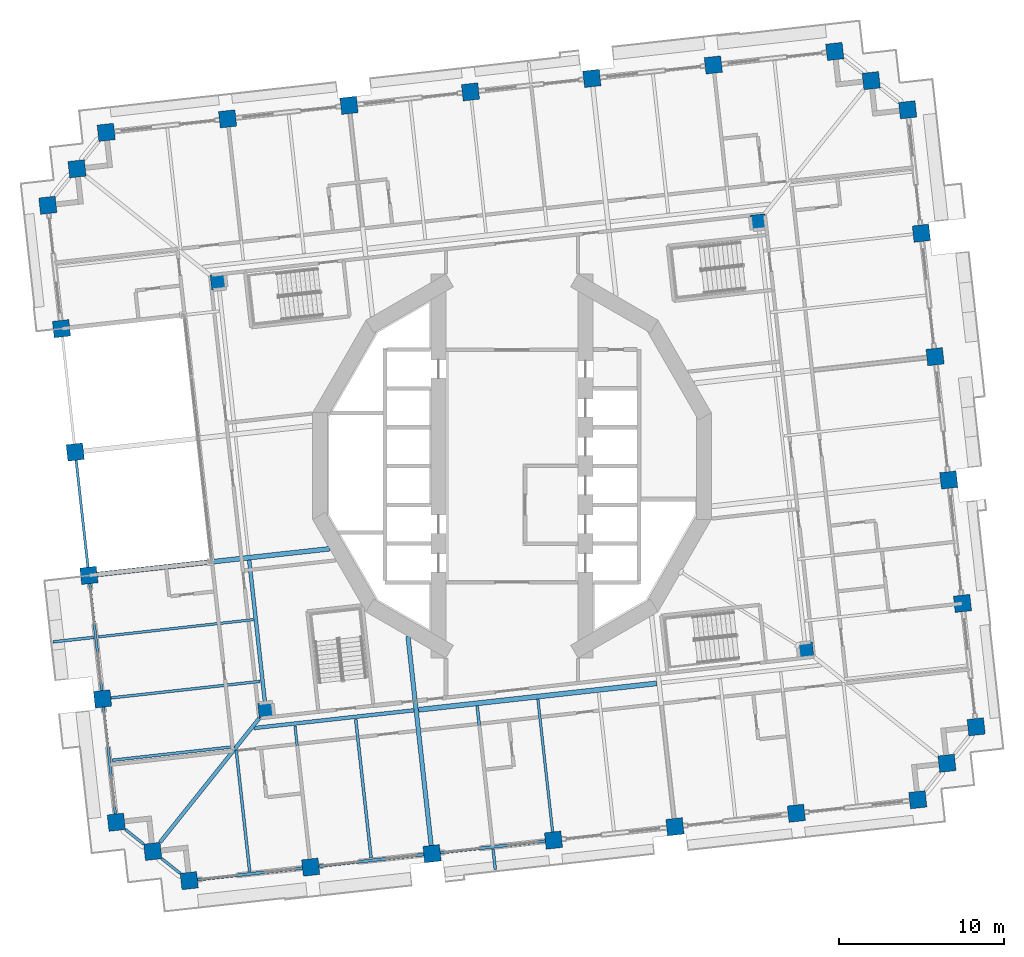
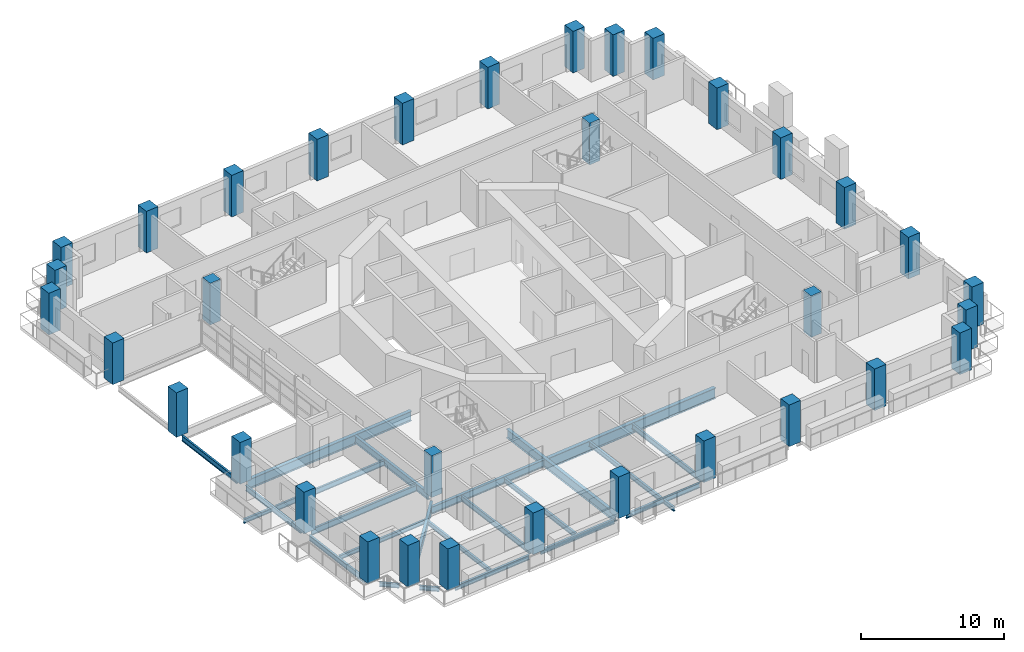
# One storey, part 1 of 21: 34 columns, 24 beams.
"""IFC4 building model written with IfcOpenShell, lengths in metres."""

from ifc_helpers import new_model, si_unit, direction, frame, origin, origin_2d, place, context, subcontext, project, spatial, rectangle, i_section, extrude, material, material_profile, profile_set, type_object, element, save


model = new_model("IFC4")

# Units and contexts
model_context = context("Model", 3, precision=1e-05, world=origin(), true_north=direction((0.0, 1.0)))
body_context = subcontext(model_context, "Body", "Model", "MODEL_VIEW")
ifc_project = project(units=[si_unit("LENGTHUNIT", "METRE"), si_unit("AREAUNIT", "SQUARE_METRE"), si_unit("VOLUMEUNIT", "CUBIC_METRE"), si_unit("PLANEANGLEUNIT", "RADIAN"), si_unit("MASSUNIT", "GRAM", prefix="KILO")], contexts=[model_context])

# Site, building, storey
site_placement = place(None, origin())
site = spatial("IfcSite", under=ifc_project, at=site_placement, CompositionType="ELEMENT")
building_placement = place(site_placement, origin())
building = spatial("IfcBuilding", under=site, at=building_placement, Name="Cantera Rosa Tower", CompositionType="ELEMENT")
storey_placement = place(building_placement, frame((0.0, 0.0, 72.89990234375)))
storey = spatial("IfcBuildingStorey", under=building, at=storey_placement, Name="L15", CompositionType="ELEMENT", Elevation=72.89990234375)

# Columns
ifc_material_1 = material(Name="Concrete C70/85", Category="concrete")
ifc_material_profile_1 = material_profile(ifc_material_1, rectangle(XDim=1.0, YDim=1.0, at=origin_2d()), Name="RC COLUMN RC1000X1000 C70/85")
ifc_profile_set_1 = profile_set([ifc_material_profile_1], Name="Concrete C70/85")
column_type_1 = type_object("IfcColumnType", Name="RC COLUMN RC1000X1000 C70/85", PredefinedType="COLUMN", material=ifc_profile_set_1)
for number, where, z_axis, x_axis, name in (
    (1, (28.114013671875, -15.795166015625, 0.0), (0.0, 0.0, 1.0), (0.993896946415, 0.110312555526, 0.0), "C-Z1-01 L15"),
    (2, (27.284423828125, -8.321044921875, 0.0), (0.0, 0.0, 1.0), (0.993896946415, 0.110312555526, 0.0), "C-Z1-02 L15"),
    (3, (26.454833984375, -0.846923828125, 0.0), (0.0, 0.0, 1.0), (0.993896946415, 0.110312555526, 0.0), "C-Z1-03 L15"),
    (4, (25.625244140625, 6.627197265625, 0.0), (0.0, 0.0, 1.0), (0.993896946415, 0.110312555526, 0.0), "C-Z1-04 L15"),
    (5, (24.795654296875, 14.101318359375, 0.0), (0.0, 0.0, 1.0), (0.993896946415, 0.110312555526, 0.0), "C-Z1-05 L15"),
    (6, (23.96630859375, 21.575439453125, 0.0), (0.0, 0.0, 1.0), (0.993896946415, 0.110312555526, 0.0), "C-Z1-06 L15"),
    (7, (21.7578125, 23.342529296875, 0.0), (0.0, 0.0, 1.0), (0.993896946415, 0.110312555526, 0.0), "C-Z1-07 L15"),
    (8, (19.54931640625, 25.10986328125, 0.0), (0.0, 0.0, 1.0), (0.993896946415, 0.110312555526, 0.0), "C-Z1-08 L15"),
    (9, (12.194580078125, 24.29345703125, 0.0), (0.0, 0.0, 1.0), (0.993896946415, 0.110312555526, 0.0), "C-Z1-09 L15"),
    (10, (4.839599609375, 23.47705078125, 0.0), (0.0, 0.0, 1.0), (0.993896946415, 0.110312555526, 0.0), "C-Z1-10 L15"),
    (11, (-2.51513671875, 22.660888671875, 0.0), (0.0, 0.0, 1.0), (0.993896946415, 0.110312555526, 0.0), "C-Z1-11 L15"),
    (12, (-9.869873046875, 21.844482421875, 0.0), (0.0, 0.0, 1.0), (0.993896946415, 0.110312555526, 0.0), "C-Z1-12 L15"),
    (13, (-17.224853515625, 21.0283203125, 0.0), (0.0, 0.0, 1.0), (0.993896946415, 0.110312555526, 0.0), "C-Z1-13 L15"),
    (14, (-24.57958984375, 20.2119140625, 0.0), (0.0, 0.0, 1.0), (0.993896946415, 0.110312555526, 0.0), "C-Z1-14 L15"),
    (15, (-26.346923828125, 18.00341796875, 0.0), (0.0, 0.0, 1.0), (0.993896946415, 0.110312555526, 0.0), "C-Z1-15 L15"),
    (16, (-28.114013671875, 15.795166015625, 0.0), (0.0, 0.0, 1.0), (0.993896946415, 0.110312555526, 0.0), "C-Z1-16 L15"),
    (17, (-27.284423828125, 8.321044921875, 0.0), (0.0, 0.0, 1.0), (0.993896946415, 0.110312555526, 0.0), "C-Z1-17 L15"),
):
    element("IfcColumn", number, at=place(storey_placement, frame(where, z_axis=z_axis, x_axis=x_axis)), inside=storey, type_object=column_type_1, Name=name, PredefinedType="COLUMN", context=body_context, shape_type="SweptSolid", body=[
        extrude(rectangle(XDim=1.0, YDim=1.0, at=origin_2d()), origin(), (0.0, 0.0, 1.0), 3.550048828125),
    ])
column_placement = place(storey_placement, frame((-26.454833984375, 0.846923828125, -0.25), z_axis=(0.0, 0.0, 1.0), x_axis=(0.993896946415, 0.110312555526, 0.0)))
element("IfcColumn", 18, at=column_placement, inside=storey, type_object=column_type_1, Name="C-Z1-18 L15", PredefinedType="COLUMN", context=body_context, shape_type="SweptSolid", body=[
    extrude(rectangle(XDim=1.0, YDim=1.0, at=origin_2d()), origin(), (0.0, 0.0, 1.0), 3.800048828125),
])
for number, where, z_axis, x_axis, name in (
    (19, (-25.625244140625, -6.627197265625, 0.0), (0.0, 0.0, 1.0), (0.993896946415, 0.110312555526, 0.0), "C-Z1-19 L15"),
    (20, (-24.795654296875, -14.101318359375, 0.0), (0.0, 0.0, 1.0), (0.993896946415, 0.110312555526, 0.0), "C-Z1-20 L15"),
    (21, (-23.96630859375, -21.575439453125, 0.0), (0.0, 0.0, 1.0), (0.993896946415, 0.110312555526, 0.0), "C-Z1-21 L15"),
    (22, (-21.7578125, -23.342529296875, 0.0), (0.0, 0.0, 1.0), (0.993896946415, 0.110312555526, 0.0), "C-Z1-22 L15"),
    (23, (-19.54931640625, -25.10986328125, 0.0), (0.0, 0.0, 1.0), (0.993896946415, 0.110312555526, 0.0), "C-Z1-23 L15"),
    (24, (-12.194580078125, -24.29345703125, 0.0), (0.0, 0.0, 1.0), (0.993896946415, 0.110312555526, 0.0), "C-Z1-24 L15"),
    (25, (-4.839599609375, -23.47705078125, 0.0), (0.0, 0.0, 1.0), (0.993896946415, 0.110312555526, 0.0), "C-Z1-25 L15"),
    (26, (2.51513671875, -22.660888671875, 0.0), (0.0, 0.0, 1.0), (0.993896946415, 0.110312555526, 0.0), "C-Z1-26 L15"),
    (27, (9.869873046875, -21.844482421875, 0.0), (0.0, 0.0, 1.0), (0.993896946415, 0.110312555526, 0.0), "C-Z1-27 L15"),
    (28, (17.224853515625, -21.0283203125, 0.0), (0.0, 0.0, 1.0), (0.993896946415, 0.110312555526, 0.0), "C-Z1-28 L15"),
    (29, (24.57958984375, -20.2119140625, 0.0), (0.0, 0.0, 1.0), (0.993896946415, 0.110312555526, 0.0), "C-Z1-29 L15"),
    (30, (26.346923828125, -18.00341796875, 0.0), (0.0, 0.0, 1.0), (0.993896946415, 0.110312555526, 0.0), "C-Z1-30 L15"),
):
    element("IfcColumn", number, at=place(storey_placement, frame(where, z_axis=z_axis, x_axis=x_axis)), inside=storey, type_object=column_type_1, Name=name, PredefinedType="COLUMN", context=body_context, shape_type="SweptSolid", body=[
        extrude(rectangle(XDim=1.0, YDim=1.0, at=origin_2d()), origin(), (0.0, 0.0, 1.0), 3.550048828125),
    ])
ifc_material_2 = material(Name="Concrete C70/85", Category="concrete")
ifc_material_profile_2 = material_profile(ifc_material_2, rectangle(XDim=0.89990234375, YDim=0.89990234375, at=origin_2d()), Name="RC RING COLUMN RC900X900 C70/85")
ifc_profile_set_2 = profile_set([ifc_material_profile_2], Name="Concrete C70/85")
column_type_2 = type_object("IfcColumnType", Name="RC RING COLUMN RC900X900 C70/85", PredefinedType="COLUMN", material=ifc_profile_set_2)
for number, where, z_axis, x_axis, name in (
    (31, (14.909912109375, 14.784912109375, 0.0), (0.0, 0.0, 1.0), (0.993896946415, 0.110312555526, 0.0), "CI-Z1-1 L15"),
    (32, (-17.7890625, 11.15576171875, 0.0), (0.0, 0.0, 1.0), (0.993896946415, 0.110312555526, 0.0), "CI-Z1-2 L15"),
    (33, (-14.909912109375, -14.784912109375, 0.0), (0.0, 0.0, 1.0), (0.993896946415, 0.110312555526, 0.0), "CI-Z1-3 L15"),
    (34, (17.7890625, -11.15576171875, 0.0), (0.0, 0.0, 1.0), (0.993896946415, 0.110312555526, 0.0), "CI-Z1-4 L15"),
):
    element("IfcColumn", number, at=place(storey_placement, frame(where, z_axis=z_axis, x_axis=x_axis)), inside=storey, type_object=column_type_2, Name=name, PredefinedType="COLUMN", context=body_context, shape_type="SweptSolid", body=[
        extrude(rectangle(XDim=0.89990234375, YDim=0.89990234375, at=origin_2d()), origin(), (0.0, 0.0, 1.0), 3.550048828125),
    ])

# Beams
ifc_material_3 = material(Name="Steel ASTM A992 (Fy 345 MPa)", Category="steel")
ifc_material_profile_3 = material_profile(ifc_material_3, i_section(OverallWidth=0.154052734375, OverallDepth=0.4599609375, WebThickness=0.009033203125, FlangeThickness=0.015380859375, FilletRadius=0.01025390625, at=origin_2d()), Name="W460X68")
ifc_profile_set_3 = profile_set([ifc_material_profile_3], Name="Steel ASTM A992 (Fy 345 MPa)")
beam_type_1 = type_object("IfcBeamType", Name="STEEL BEAM W460X68", PredefinedType="BEAM", material=ifc_profile_set_3)
beam_1_placement = place(storey_placement, frame((-12.249755859375, -23.796630859375, -0.47998046875), z_axis=(-0.110312435488, 0.993896959738, 0.0), x_axis=(-0.993896959738, -0.110312435488, 0.0)))
element("IfcBeam", 35, at=beam_1_placement, inside=storey, type_object=beam_type_1, Name="G-Z1-10 L15", PredefinedType="BEAM", context=body_context, shape_type="SweptSolid", body=[
    extrude(i_section(OverallWidth=0.154052734375, OverallDepth=0.4599609375, WebThickness=0.009033203125, FlangeThickness=0.015380859375, FilletRadius=0.01025390625, at=origin_2d()), origin(), (0.0, 0.0, 1.0), 8.10009765625),
])
beam_2_placement = place(storey_placement, frame((2.4599609375, -22.163818359375, -0.47998046875), z_axis=(-0.110315740112, 0.993896592953, 0.0), x_axis=(-0.993896592953, -0.110315740112, 0.0)))
element("IfcBeam", 36, at=beam_2_placement, inside=storey, type_object=beam_type_1, Name="G-Z1-12 L15", PredefinedType="BEAM", context=body_context, shape_type="SweptSolid", body=[
    extrude(i_section(OverallWidth=0.154052734375, OverallDepth=0.4599609375, WebThickness=0.009033203125, FlangeThickness=0.015380859375, FilletRadius=0.01025390625, at=origin_2d()), origin(), (0.0, 0.0, 1.0), 8.099853515625),
])
ifc_material_4 = material(Name="Steel ASTM A992 (Fy 345 MPa)", Category="steel")
ifc_material_profile_4 = material_profile(ifc_material_4, i_section(OverallWidth=0.166015625, OverallDepth=0.528076171875, WebThickness=0.009765625, FlangeThickness=0.013671875, FilletRadius=0.0126953125, at=origin_2d()), Name="W530X74")
ifc_profile_set_4 = profile_set([ifc_material_profile_4], Name="Steel ASTM A992 (Fy 345 MPa)")
beam_type_2 = type_object("IfcBeamType", Name="STEEL BEAM W530X74", PredefinedType="BEAM", material=ifc_profile_set_4)
beam_3_placement = place(storey_placement, frame((-24.298828125, -14.046142578125, -0.513916015625), z_axis=(0.993896161189, 0.110319630049, 0.0), x_axis=(-0.110319630049, 0.993896161189, 0.0)))
element("IfcBeam", 37, at=beam_3_placement, inside=storey, type_object=beam_type_2, Name="G-Z1-18 L15", PredefinedType="BEAM", context=body_context, shape_type="SweptSolid", body=[
    extrude(i_section(OverallWidth=0.166015625, OverallDepth=0.528076171875, WebThickness=0.009765625, FlangeThickness=0.013671875, FilletRadius=0.0126953125, at=origin_2d()), origin(), (0.0, 0.0, 1.0), 9.10009765625),
])
ifc_material_5 = material(Name="Steel ASTM A992 (Fy 345 MPa)", Category="steel")
ifc_material_profile_5 = material_profile(ifc_material_5, i_section(OverallWidth=0.22802734375, OverallDepth=0.60205078125, WebThickness=0.010498046875, FlangeThickness=0.014892578125, FilletRadius=0.0126953125, at=origin_2d()), Name="W610X101")
ifc_profile_set_5 = profile_set([ifc_material_profile_5], Name="Steel ASTM A992 (Fy 345 MPa)")
beam_type_3 = type_object("IfcBeamType", Name="STEEL BEAM W610X101", PredefinedType="BEAM", material=ifc_profile_set_5)
beam_4_placement = place(storey_placement, frame((-21.31591796875, -22.79052734375, -0.55078125), z_axis=(0.624787924463, 0.780794498857, 0.0), x_axis=(-0.780794498857, 0.624787924463, 0.0)))
element("IfcBeam", 38, at=beam_4_placement, inside=storey, type_object=beam_type_3, Name="CB-Z1-03 L15", PredefinedType="BEAM", context=body_context, shape_type="SweptSolid", body=[
    extrude(i_section(OverallWidth=0.22802734375, OverallDepth=0.60205078125, WebThickness=0.010498046875, FlangeThickness=0.014892578125, FilletRadius=0.0126953125, at=origin_2d()), origin(), (0.0, 0.0, 1.0), 9.616455078125),
])
beam_5_placement = place(storey_placement, frame((-14.959716796875, -14.337646484375, -0.55078125), z_axis=(-0.110298932846, 0.993898458301, 0.0), x_axis=(-0.993898458301, -0.110298932846, 0.0)))
element("IfcBeam", 39, at=beam_5_placement, inside=storey, type_object=beam_type_3, Name="RB-Z1-10 L15", PredefinedType="BEAM", context=body_context, shape_type="SweptSolid", body=[
    extrude(i_section(OverallWidth=0.22802734375, OverallDepth=0.60205078125, WebThickness=0.010498046875, FlangeThickness=0.014892578125, FilletRadius=0.0126953125, at=origin_2d()), origin(), (0.0, 0.0, 1.0), 8.68994140625),
])
ifc_material_6 = material(Name="Steel ASTM A992 (Fy 345 MPa)", Category="steel")
ifc_material_profile_6 = material_profile(ifc_material_6, i_section(OverallWidth=0.22900390625, OverallDepth=0.612060546875, WebThickness=0.011962890625, FlangeThickness=0.01953125, FilletRadius=0.0126953125, at=origin_2d()), Name="W610X125")
ifc_profile_set_6 = profile_set([ifc_material_profile_6], Name="Steel ASTM A992 (Fy 345 MPa)")
beam_type_4 = type_object("IfcBeamType", Name="STEEL BEAM W610X125", PredefinedType="BEAM", material=ifc_profile_set_6)
beam_6_placement = place(storey_placement, frame((-15.64453125, -15.87255859375, -0.555908203125), z_axis=(0.993898078625, 0.110302354035, 0.0), x_axis=(-0.110302354035, 0.993898078625, 0.0)))
element("IfcBeam", 40, at=beam_6_placement, inside=storey, type_object=beam_type_4, Name="RB-Z1-04 L15", PredefinedType="BEAM", context=body_context, shape_type="SweptSolid", body=[
    extrude(i_section(OverallWidth=0.22900390625, OverallDepth=0.612060546875, WebThickness=0.011962890625, FlangeThickness=0.01953125, FilletRadius=0.0126953125, at=origin_2d()), origin(), (0.0, 0.0, 1.0), 9.75),
])
ifc_material_7 = material(Name="Steel ASTM A992 (Fy 345 MPa)", Category="steel")
ifc_material_profile_7 = material_profile(ifc_material_7, i_section(OverallWidth=0.26708984375, OverallDepth=0.75390625, WebThickness=0.01318359375, FlangeThickness=0.01708984375, FilletRadius=0.0166015625, at=origin_2d()), Name="W760X147")
ifc_profile_set_7 = profile_set([ifc_material_profile_7], Name="Steel ASTM A992 (Fy 345 MPa)")
beam_type_5 = type_object("IfcBeamType", Name="STEEL BEAM W760X147", PredefinedType="BEAM", material=ifc_profile_set_7)
beam_7_placement = place(storey_placement, frame((-4.894775390625, -22.980224609375, -0.626953125), z_axis=(-0.11031177493, 0.993897033053, 0.0), x_axis=(-0.993897033053, -0.11031177493, 0.0)))
element("IfcBeam", 41, at=beam_7_placement, inside=storey, type_object=beam_type_5, Name="G-Z1-11 L15", PredefinedType="BEAM", context=body_context, shape_type="SweptSolid", body=[
    extrude(i_section(OverallWidth=0.26708984375, OverallDepth=0.75390625, WebThickness=0.01318359375, FlangeThickness=0.01708984375, FilletRadius=0.0166015625, at=origin_2d()), origin(), (0.0, 0.0, 1.0), 12.754638671875),
])
ifc_material_8 = material(Name="Steel ASTM A992 (Fy 345 MPa)", Category="steel")
ifc_material_profile_8 = material_profile(ifc_material_8, i_section(OverallWidth=0.2919921875, OverallDepth=0.8359375, WebThickness=0.013916015625, FlangeThickness=0.018798828125, FilletRadius=0.017822265625, at=origin_2d()), Name="W840X176")
ifc_profile_set_8 = profile_set([ifc_material_profile_8], Name="Steel ASTM A992 (Fy 345 MPa)")
beam_type_6 = type_object("IfcBeamType", Name="STEEL BEAM W840X176", PredefinedType="BEAM", material=ifc_profile_set_8)
beam_8_placement = place(storey_placement, frame((-25.12841796875, -6.572021484375, -0.66796875), z_axis=(0.993897599241, 0.110306673519, 0.0), x_axis=(-0.110306673519, 0.993897599241, 0.0)))
element("IfcBeam", 42, at=beam_8_placement, inside=storey, type_object=beam_type_6, Name="G-Z1-17 L15", PredefinedType="BEAM", context=body_context, shape_type="SweptSolid", body=[
    extrude(i_section(OverallWidth=0.2919921875, OverallDepth=0.8359375, WebThickness=0.013916015625, FlangeThickness=0.018798828125, FilletRadius=0.017822265625, at=origin_2d()), origin(), (0.0, 0.0, 1.0), 14.1650390625),
])
ifc_material_9 = material(Name="Steel ASTM A992 (Fy 345 MPa)", Category="steel")
ifc_material_profile_9 = material_profile(ifc_material_9, i_section(OverallWidth=0.304931640625, OverallDepth=0.9189453125, WebThickness=0.017333984375, FlangeThickness=0.02783203125, FilletRadius=0.01904296875, at=origin_2d()), Name="W920X253")
ifc_profile_set_9 = profile_set([ifc_material_profile_9], Name="Steel ASTM A992 (Fy 345 MPa)")
beam_type_7 = type_object("IfcBeamType", Name="STEEL BEAM W920X253", PredefinedType="BEAM", material=ifc_profile_set_9)
beam_9_placement = place(storey_placement, frame((-5.65576171875, -14.763916015625, -0.70947265625), z_axis=(0.993898099692, 0.110302164209, 0.0), x_axis=(-0.110302164209, 0.993898099692, 0.0)))
element("IfcBeam", 43, at=beam_9_placement, inside=storey, type_object=beam_type_7, Name="RB-Z1-05 L15", PredefinedType="BEAM", context=body_context, shape_type="SweptSolid", body=[
    extrude(i_section(OverallWidth=0.304931640625, OverallDepth=0.9189453125, WebThickness=0.017333984375, FlangeThickness=0.02783203125, FilletRadius=0.01904296875, at=origin_2d()), origin(), (0.0, 0.0, 1.0), 14.499755859375),
])
ifc_material_10 = material(Name="Steel ASTM A992 (Fy 345 MPa)", Category="steel")
ifc_material_profile_10 = material_profile(ifc_material_10, i_section(OverallWidth=0.1708984375, OverallDepth=0.35595703125, WebThickness=0.00732421875, FlangeThickness=0.01171875, FilletRadius=0.010009765625, at=origin_2d()), Name="W360X51")
ifc_profile_set_10 = profile_set([ifc_material_profile_10], Name="Steel ASTM A992 (Fy 345 MPa)")
beam_type_8 = type_object("IfcBeamType", Name="STEEL JOIST W360X51", PredefinedType="JOIST", material=ifc_profile_set_10)
beam_10_placement = place(storey_placement, frame((-15.888427734375, -24.552490234375, -0.427978515625), z_axis=(-0.110326513132, 0.993895397162, 0.0), x_axis=(-0.993895397162, -0.110326513132, 0.0)))
element("IfcBeam", 44, at=beam_10_placement, inside=storey, type_object=beam_type_8, Name="B-Z1-12 L15", PredefinedType="JOIST", context=body_context, shape_type="SweptSolid", body=[
    extrude(i_section(OverallWidth=0.1708984375, OverallDepth=0.35595703125, WebThickness=0.00732421875, FlangeThickness=0.01171875, FilletRadius=0.010009765625, at=origin_2d()), origin(), (0.0, 0.0, 1.0), 7.39990234375),
])
beam_11_placement = place(storey_placement, frame((-24.23193359375, -17.82177734375, -0.427978515625), z_axis=(0.993899688369, 0.110287848199, 0.0), x_axis=(-0.110287848199, 0.993899688369, 0.0)))
element("IfcBeam", 45, at=beam_11_placement, inside=storey, type_object=beam_type_8, Name="B-Z1-22 L15", PredefinedType="JOIST", context=body_context, shape_type="SweptSolid", body=[
    extrude(i_section(OverallWidth=0.1708984375, OverallDepth=0.35595703125, WebThickness=0.00732421875, FlangeThickness=0.01171875, FilletRadius=0.010009765625, at=origin_2d()), origin(), (0.0, 0.0, 1.0), 7.4599609375),
])
beam_12_placement = place(storey_placement, frame((-25.33984375, -10.378662109375, -0.427978515625), z_axis=(-0.993894523039, -0.110334387538, 0.0), x_axis=(0.110334387538, -0.993894523039, 0.0)))
element("IfcBeam", 46, at=beam_12_placement, inside=storey, type_object=beam_type_8, Name="BS-Z1-17 L15", PredefinedType="JOIST", context=body_context, shape_type="SweptSolid", body=[
    extrude(i_section(OverallWidth=0.1708984375, OverallDepth=0.35595703125, WebThickness=0.00732421875, FlangeThickness=0.01171875, FilletRadius=0.010009765625, at=origin_2d()), origin(), (0.0, 0.0, 1.0), 2.482666015625),
])
beam_13_placement = place(storey_placement, frame((-1.14794921875, -23.1982421875, -0.427978515625), z_axis=(0.110345783203, -0.993893257915, 0.0), x_axis=(0.993893257915, 0.110345783203, 0.0)))
element("IfcBeam", 47, at=beam_13_placement, inside=storey, type_object=beam_type_8, Name="BS-Z1-19 L15", PredefinedType="JOIST", context=body_context, shape_type="SweptSolid", body=[
    extrude(i_section(OverallWidth=0.1708984375, OverallDepth=0.35595703125, WebThickness=0.00732421875, FlangeThickness=0.01171875, FilletRadius=0.010009765625, at=origin_2d()), origin(), (0.0, 0.0, 1.0), 1.25),
])
ifc_material_11 = material(Name="Steel ASTM A992 (Fy 345 MPa)", Category="steel")
ifc_material_profile_11 = material_profile(ifc_material_11, i_section(OverallWidth=0.177978515625, OverallDepth=0.406005859375, WebThickness=0.0078125, FlangeThickness=0.0126953125, FilletRadius=0.01025390625, at=origin_2d()), Name="W410X60")
ifc_profile_set_11 = profile_set([ifc_material_profile_11], Name="Steel ASTM A992 (Fy 345 MPa)")
beam_type_9 = type_object("IfcBeamType", Name="STEEL JOIST W410X60", PredefinedType="JOIST", material=ifc_profile_set_11)
for number, where, z_axis, x_axis, name in (
    (48, (-8.53369140625, -23.736328125, -0.452880859375), (-0.110311022989, 0.99389711651, 0.0), (-0.99389711651, -0.110311022989, 0.0), "B-Z1-13 L15"),
    (49, (-1.178955078125, -22.919921875, -0.452880859375), (-0.110311022989, 0.99389711651, 0.0), (-0.99389711651, -0.110311022989, 0.0), "B-Z1-14 L15"),
):
    element("IfcBeam", number, at=place(storey_placement, frame(where, z_axis=z_axis, x_axis=x_axis)), inside=storey, type_object=beam_type_9, Name=name, PredefinedType="JOIST", context=body_context, shape_type="SweptSolid", body=[
        extrude(i_section(OverallWidth=0.177978515625, OverallDepth=0.406005859375, WebThickness=0.0078125, FlangeThickness=0.0126953125, FilletRadius=0.01025390625, at=origin_2d()), origin(), (0.0, 0.0, 1.0), 8.449951171875),
    ])
ifc_material_12 = material(Name="Steel ASTM A992 (Fy 345 MPa)", Category="steel")
ifc_material_profile_12 = material_profile(ifc_material_12, i_section(OverallWidth=0.154052734375, OverallDepth=0.4599609375, WebThickness=0.009033203125, FlangeThickness=0.015380859375, FilletRadius=0.01025390625, at=origin_2d()), Name="W460X68")
ifc_profile_set_12 = profile_set([ifc_material_profile_12], Name="Steel ASTM A992 (Fy 345 MPa)")
beam_type_10 = type_object("IfcBeamType", Name="STEEL JOIST W460X68", PredefinedType="JOIST", material=ifc_profile_set_12)
beam_14_placement = place(storey_placement, frame((-25.0615234375, -10.34765625, -0.47998046875), z_axis=(0.993896645353, 0.110315268011, 0.0), x_axis=(-0.110315268011, 0.993896645353, 0.0)))
element("IfcBeam", 50, at=beam_14_placement, inside=storey, type_object=beam_type_10, Name="B-Z1-21 L15", PredefinedType="JOIST", context=body_context, shape_type="SweptSolid", body=[
    extrude(i_section(OverallWidth=0.154052734375, OverallDepth=0.4599609375, WebThickness=0.009033203125, FlangeThickness=0.015380859375, FilletRadius=0.01025390625, at=origin_2d()), origin(), (0.0, 0.0, 1.0), 9.449951171875),
])
ifc_material_13 = material(Name="Steel ASTM A992 (Fy 345 MPa)", Category="steel")
ifc_material_profile_13 = material_profile(ifc_material_13, i_section(OverallWidth=0.1708984375, OverallDepth=0.35595703125, WebThickness=0.00732421875, FlangeThickness=0.01171875, FilletRadius=0.010009765625, at=origin_2d()), Name="W360X51")
ifc_profile_set_13 = profile_set([ifc_material_profile_13], Name="Steel ASTM A992 (Fy 345 MPa)")
beam_type_11 = type_object("IfcBeamType", Name="STEEL SPANDREL BEAM W360X51", PredefinedType="SPANDREL", material=ifc_profile_set_13)
for number, where, z_axis, x_axis, name in (
    (51, (-23.4140625, -22.017333984375, -0.427978515625), (0.780818280208, -0.624758203863, 0.0), (0.624758203863, 0.780818280208, 0.0), "EB-Z1-21 L15"),
    (52, (-21.205810546875, -23.784423828125, -0.427978515625), (0.780818280208, -0.624758203863, 0.0), (0.624758203863, 0.780818280208, 0.0), "EB-Z1-22 L15"),
):
    element("IfcBeam", number, at=place(storey_placement, frame(where, z_axis=z_axis, x_axis=x_axis)), inside=storey, type_object=beam_type_11, Name=name, PredefinedType="SPANDREL", context=body_context, shape_type="SweptSolid", body=[
        extrude(i_section(OverallWidth=0.1708984375, OverallDepth=0.35595703125, WebThickness=0.00732421875, FlangeThickness=0.01171875, FilletRadius=0.010009765625, at=origin_2d()), origin(), (0.0, 0.0, 1.0), 1.414306640625),
    ])
ifc_material_14 = material(Name="Steel ASTM A992 (Fy 345 MPa)", Category="steel")
ifc_material_profile_14 = material_profile(ifc_material_14, i_section(OverallWidth=0.177978515625, OverallDepth=0.406005859375, WebThickness=0.0078125, FlangeThickness=0.0126953125, FilletRadius=0.01025390625, at=origin_2d()), Name="W410X60")
ifc_profile_set_14 = profile_set([ifc_material_profile_14], Name="Steel ASTM A992 (Fy 345 MPa)")
beam_type_12 = type_object("IfcBeamType", Name="STEEL SPANDREL BEAM W410X60", PredefinedType="SPANDREL", material=ifc_profile_set_14)
beam_15_placement = place(storey_placement, frame((-19.052490234375, -25.0546875, -0.452880859375), z_axis=(0.993896288542, 0.110318482689, 0.0), x_axis=(-0.110318482689, 0.993896288542, 0.0)))
element("IfcBeam", 53, at=beam_15_placement, inside=storey, type_object=beam_type_12, Name="EB-Z1-23 L15", PredefinedType="SPANDREL", context=body_context, shape_type="SweptSolid", body=[
    extrude(i_section(OverallWidth=0.177978515625, OverallDepth=0.406005859375, WebThickness=0.0078125, FlangeThickness=0.0126953125, FilletRadius=0.01025390625, at=origin_2d()), origin(), (0.0, 0.0, 1.0), 6.400146484375),
])
for number, where, z_axis, x_axis, name in (
    (54, (-11.697509765625, -24.23828125, -0.452880859375), (0.993895824271, 0.110322665379, 0.0), (-0.110322665379, 0.993895824271, 0.0), "EB-Z1-24 L15"),
    (55, (-4.3427734375, -23.422119140625, -0.452880859375), (0.993895824271, 0.110322665379, 0.0), (-0.110322665379, 0.993895824271, 0.0), "EB-Z1-25 L15"),
):
    element("IfcBeam", number, at=place(storey_placement, frame(where, z_axis=z_axis, x_axis=x_axis)), inside=storey, type_object=beam_type_12, Name=name, PredefinedType="SPANDREL", context=body_context, shape_type="SweptSolid", body=[
        extrude(i_section(OverallWidth=0.177978515625, OverallDepth=0.406005859375, WebThickness=0.0078125, FlangeThickness=0.0126953125, FilletRadius=0.01025390625, at=origin_2d()), origin(), (0.0, 0.0, 1.0), 6.39990234375),
    ])
ifc_material_15 = material(Name="Steel ASTM A992 (Fy 345 MPa)", Category="steel")
ifc_material_profile_15 = material_profile(ifc_material_15, i_section(OverallWidth=0.154052734375, OverallDepth=0.4599609375, WebThickness=0.009033203125, FlangeThickness=0.015380859375, FilletRadius=0.01025390625, at=origin_2d()), Name="W460X68")
ifc_profile_set_15 = profile_set([ifc_material_profile_15], Name="Steel ASTM A992 (Fy 345 MPa)")
beam_type_13 = type_object("IfcBeamType", Name="STEEL SPANDREL BEAM W460X68", PredefinedType="SPANDREL", material=ifc_profile_set_15)
for number, where, z_axis, x_axis, name in (
    (56, (-26.399658203125, 0.349853515625, -0.47998046875), (0.110312341265, -0.993896970196, 0.0), (0.993896970196, 0.110312341265, 0.0), "EB-Z1-18 L15"),
    (57, (-25.570068359375, -7.124267578125, -0.47998046875), (0.110312341265, -0.993896970196, 0.0), (0.993896970196, 0.110312341265, 0.0), "EB-Z1-19 L15"),
    (58, (-24.74072265625, -14.598388671875, -0.47998046875), (0.110312341265, -0.993896970196, 0.0), (0.993896970196, 0.110312341265, 0.0), "EB-Z1-20 L15"),
):
    element("IfcBeam", number, at=place(storey_placement, frame(where, z_axis=z_axis, x_axis=x_axis)), inside=storey, type_object=beam_type_13, Name=name, PredefinedType="SPANDREL", context=body_context, shape_type="SweptSolid", body=[
        extrude(i_section(OverallWidth=0.154052734375, OverallDepth=0.4599609375, WebThickness=0.009033203125, FlangeThickness=0.015380859375, FilletRadius=0.01025390625, at=origin_2d()), origin(), (0.0, 0.0, 1.0), 6.52001953125),
    ])

save(model, "model.ifc")
